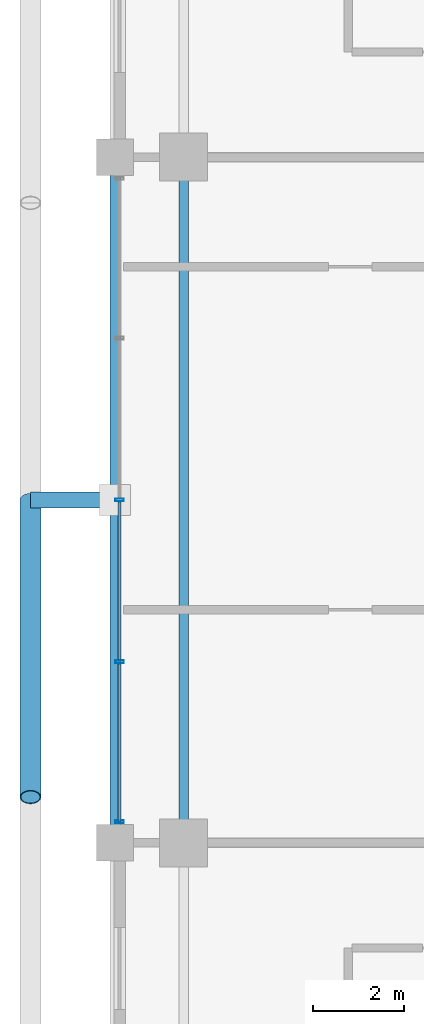
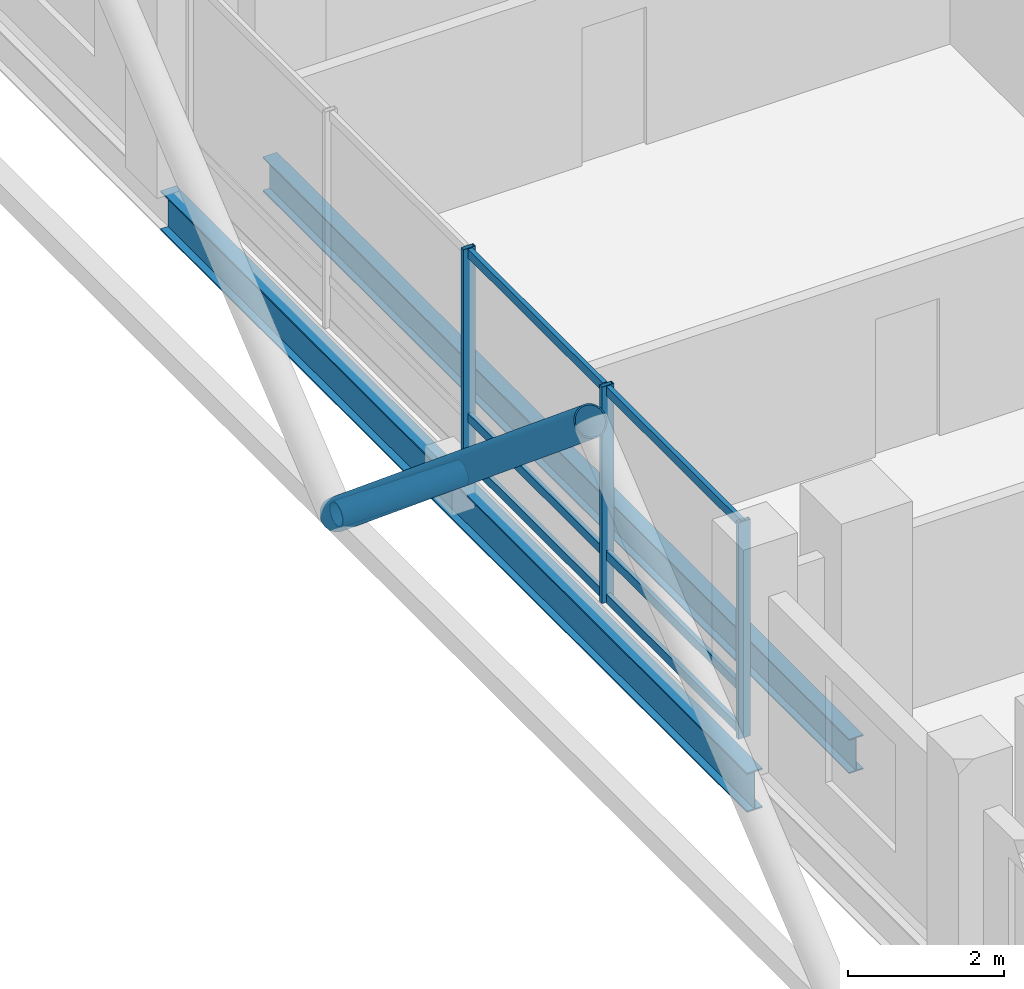
# One storey, part 7 of 26: 11 members, 2 beams, 1 element without a shape of its own.
"""IFC4 building model written with IfcOpenShell, lengths in metres."""

from ifc_helpers import new_model, si_unit, direction, frame, origin, origin_2d, place, context, subcontext, project, spatial, hollow_rectangle, hollow_circle, i_section, extrude, material, layer, layer_set, material_profile, profile_set, type_object, element, aggregate, save


model = new_model("IFC4")

# Units and contexts
model_context = context("Model", 3, precision=1e-05, world=origin(), true_north=direction((0.0, 1.0)))
body_context = subcontext(model_context, "Body", "Model", "MODEL_VIEW")
ifc_project = project(units=[si_unit("LENGTHUNIT", "METRE"), si_unit("AREAUNIT", "SQUARE_METRE"), si_unit("VOLUMEUNIT", "CUBIC_METRE"), si_unit("PLANEANGLEUNIT", "RADIAN"), si_unit("MASSUNIT", "GRAM", prefix="KILO")], contexts=[model_context])

# Site, building, storey
site_placement = place(None, origin())
site = spatial("IfcSite", under=ifc_project, at=site_placement, CompositionType="ELEMENT")
building_placement = place(site_placement, origin())
building = spatial("IfcBuilding", under=site, at=building_placement, Name="Barlavira Tower and Art Museum", CompositionType="ELEMENT")
storey_placement = place(building_placement, frame((0.0, 0.0, 198.0)))
storey = spatial("IfcBuildingStorey", under=building, at=storey_placement, Name="L51", CompositionType="ELEMENT", Elevation=198.0)

# Curtain wall, members
ifc_material_1 = material(Name="Low-iron coastal laminated glass", Category="glass")
ifc_layer = layer(ifc_material_1, 0.199951171875, Name="Low-iron coastal laminated glass")
ifc_layer_set = layer_set([ifc_layer], Name="Low-iron coastal laminated glass")
curtain_wall_type = type_object("IfcCurtainWallType", Name="Pale-Metal Unitised Curtain Wall Zone 3", PredefinedType="NOTDEFINED", material=ifc_layer_set)
curtain_wall_placement = place(storey_placement, origin())
curtain_wall = element("IfcCurtainWall", 1, at=curtain_wall_placement, inside=storey, type_object=curtain_wall_type, Name="L51 Curtain Wall CW3-L51-W-B3", PredefinedType="NOTDEFINED")
ifc_material_2 = material(Name="Pale anodised aluminium", Category="aluminium")
ifc_material_profile_1 = material_profile(ifc_material_2, hollow_rectangle(XDim=0.06494140625, YDim=0.179931640625, WallThickness=0.00390625, at=origin_2d()), Name="ALU-MULL 65x180x4")
ifc_profile_set_1 = profile_set([ifc_material_profile_1], Name="Pale anodised aluminium")
member_type_1 = type_object("IfcMemberType", Name="Curtain Wall Pale-Metal Mullion 65x180", PredefinedType="MULLION", material=ifc_profile_set_1)
member_1_placement = place(storey_placement, frame((-18.39990234375, 0.0, 0.0), z_axis=(0.0, 0.0, 1.0), x_axis=(0.0, -1.0, 0.0)))
member_1 = element("IfcMember", 2, at=member_1_placement, type_object=member_type_1, Name="CW3-L51-W-B3 Mullion 2", PredefinedType="MULLION", context=body_context, shape_type="SweptSolid", body=[
    extrude(hollow_rectangle(XDim=0.06494140625, YDim=0.179931640625, WallThickness=0.00390625, at=origin_2d()), origin(), (0.0, 0.0, 1.0), 3.3798828125),
])
member_2_placement = place(storey_placement, frame((-18.39990234375, -3.5400390625, 0.0), z_axis=(0.0, 0.0, 1.0), x_axis=(0.0, -1.0, 0.0)))
member_2 = element("IfcMember", 3, at=member_2_placement, type_object=member_type_1, Name="CW3-L51-W-B3 Mullion 3", PredefinedType="MULLION", context=body_context, shape_type="SweptSolid", body=[
    extrude(hollow_rectangle(XDim=0.06494140625, YDim=0.179931640625, WallThickness=0.00390625, at=origin_2d()), origin(), (0.0, 0.0, 1.0), 3.3798828125),
])
member_3_placement = place(storey_placement, frame((-18.39990234375, -7.034912109375, 0.0), z_axis=(0.0, 0.0, 1.0), x_axis=(0.0, -1.0, 0.0)))
member_3 = element("IfcMember", 4, at=member_3_placement, type_object=member_type_1, Name="CW3-L51-W-B3 Mullion 4", PredefinedType="MULLION", context=body_context, shape_type="SweptSolid", body=[
    extrude(hollow_rectangle(XDim=0.06494140625, YDim=0.179931640625, WallThickness=0.00390625, at=origin_2d()), origin(), (0.0, 0.0, 1.0), 3.3798828125),
])
ifc_material_profile_2 = material_profile(ifc_material_2, hollow_rectangle(XDim=0.06494140625, YDim=0.139892578125, WallThickness=0.00390625, at=origin_2d()), Name="ALU-TRAN 65x140x4")
ifc_profile_set_2 = profile_set([ifc_material_profile_2], Name="Pale anodised aluminium")
member_type_2 = type_object("IfcMemberType", Name="Curtain Wall Pale-Metal Transom 65x140", PredefinedType="USERDEFINED", material=ifc_profile_set_2)
member_4_placement = place(storey_placement, frame((-18.39990234375, -0.044921875, 0.070068359375), z_axis=(0.0, -1.0, 0.0), x_axis=(1.0, 0.0, 0.0)))
member_4 = element("IfcMember", 5, at=member_4_placement, type_object=member_type_2, Name="CW3-L51-W-B3 Transom 2.1", ObjectType="TRANSOM", PredefinedType="USERDEFINED", context=body_context, shape_type="SweptSolid", body=[
    extrude(hollow_rectangle(XDim=0.06494140625, YDim=0.139892578125, WallThickness=0.00390625, at=origin_2d()), origin(), (0.0, 0.0, 1.0), 3.4501953125),
])
member_5_placement = place(storey_placement, frame((-18.39990234375, -0.044921875, 0.743896484375), z_axis=(0.0, -1.0, 0.0), x_axis=(1.0, 0.0, 0.0)))
member_5 = element("IfcMember", 6, at=member_5_placement, type_object=member_type_2, Name="CW3-L51-W-B3 Transom 2.2", ObjectType="TRANSOM", PredefinedType="USERDEFINED", context=body_context, shape_type="SweptSolid", body=[
    extrude(hollow_rectangle(XDim=0.06494140625, YDim=0.139892578125, WallThickness=0.00390625, at=origin_2d()), origin(), (0.0, 0.0, 1.0), 3.4501953125),
])
member_6_placement = place(storey_placement, frame((-18.39990234375, -0.044921875, 3.31005859375), z_axis=(0.0, -1.0, 0.0), x_axis=(1.0, 0.0, 0.0)))
member_6 = element("IfcMember", 7, at=member_6_placement, type_object=member_type_2, Name="CW3-L51-W-B3 Transom 2.3", ObjectType="TRANSOM", PredefinedType="USERDEFINED", context=body_context, shape_type="SweptSolid", body=[
    extrude(hollow_rectangle(XDim=0.06494140625, YDim=0.139892578125, WallThickness=0.00390625, at=origin_2d()), origin(), (0.0, 0.0, 1.0), 3.4501953125),
])
member_7_placement = place(storey_placement, frame((-18.39990234375, -3.5849609375, 0.070068359375), z_axis=(0.0, -1.0, 0.0), x_axis=(1.0, 0.0, 0.0)))
member_7 = element("IfcMember", 8, at=member_7_placement, type_object=member_type_2, Name="CW3-L51-W-B3 Transom 3.1", ObjectType="TRANSOM", PredefinedType="USERDEFINED", context=body_context, shape_type="SweptSolid", body=[
    extrude(hollow_rectangle(XDim=0.06494140625, YDim=0.139892578125, WallThickness=0.00390625, at=origin_2d()), origin(), (0.0, 0.0, 1.0), 3.449951171875),
])
member_8_placement = place(storey_placement, frame((-18.39990234375, -3.5849609375, 0.743896484375), z_axis=(0.0, -1.0, 0.0), x_axis=(1.0, 0.0, 0.0)))
member_8 = element("IfcMember", 9, at=member_8_placement, type_object=member_type_2, Name="CW3-L51-W-B3 Transom 3.2", ObjectType="TRANSOM", PredefinedType="USERDEFINED", context=body_context, shape_type="SweptSolid", body=[
    extrude(hollow_rectangle(XDim=0.06494140625, YDim=0.139892578125, WallThickness=0.00390625, at=origin_2d()), origin(), (0.0, 0.0, 1.0), 3.449951171875),
])
member_9_placement = place(storey_placement, frame((-18.39990234375, -3.5849609375, 3.31005859375), z_axis=(0.0, -1.0, 0.0), x_axis=(1.0, 0.0, 0.0)))
member_9 = element("IfcMember", 10, at=member_9_placement, type_object=member_type_2, Name="CW3-L51-W-B3 Transom 3.3", ObjectType="TRANSOM", PredefinedType="USERDEFINED", context=body_context, shape_type="SweptSolid", body=[
    extrude(hollow_rectangle(XDim=0.06494140625, YDim=0.139892578125, WallThickness=0.00390625, at=origin_2d()), origin(), (0.0, 0.0, 1.0), 3.449951171875),
])
aggregate(curtain_wall, [member_1, member_2, member_3, member_4, member_5, member_6, member_7, member_8, member_9])

# Members
ifc_material_3 = material(Name="Steel S355", Category="steel")
ifc_material_profile_3 = material_profile(ifc_material_3, hollow_circle(Radius=0.228515625, WallThickness=0.02001953125, at=origin_2d()), Name="CHS 457.0x20.0")
ifc_profile_set_3 = profile_set([ifc_material_profile_3], Name="Steel S355")
member_type_3 = type_object("IfcMemberType", Name="Pale-Metal Exoskeleton Diagrid Tube CHS 457x20 Steel S355", PredefinedType="BRACE", material=ifc_profile_set_3)
member_10_placement = place(storey_placement, frame((-20.35009765625, 0.0, -0.1201171875), z_axis=(0.0, -0.76918185268, 0.639029950399), x_axis=(1.0, 0.0, 0.0)))
element("IfcMember", 11, at=member_10_placement, inside=storey, type_object=member_type_3, Name="L51 Exoskeleton Diagrid Tube W", PredefinedType="BRACE", context=body_context, shape_type="SweptSolid", body=[
    extrude(hollow_circle(Radius=0.228515625, WallThickness=0.02001953125, at=origin_2d()), origin(), (0.0, 0.0, 1.0), 8.450439453125),
])
ifc_material_profile_4 = material_profile(ifc_material_3, hollow_circle(Radius=0.177734375, WallThickness=0.01611328125, at=origin_2d()), Name="CHS 355.6x16.0")
ifc_profile_set_4 = profile_set([ifc_material_profile_4], Name="Steel S355")
member_type_4 = type_object("IfcMemberType", Name="Pale-Metal Exoskeleton Tie Strut CHS 356x16 Steel S355", PredefinedType="STRUT", material=ifc_profile_set_4)
member_11_placement = place(storey_placement, frame((-20.35009765625, 0.0, -0.1201171875), z_axis=(1.0, 0.0, 0.0), x_axis=(0.0, 1.0, 0.0)))
element("IfcMember", 12, at=member_11_placement, inside=storey, type_object=member_type_4, Name="L51 Exoskeleton Tie Strut W2", PredefinedType="STRUT", context=body_context, shape_type="SweptSolid", body=[
    extrude(hollow_circle(Radius=0.177734375, WallThickness=0.01611328125, at=origin_2d()), origin(), (0.0, 0.0, 1.0), 1.85009765625),
])

# Beams
ifc_material_profile_5 = material_profile(ifc_material_3, i_section(OverallWidth=0.22998046875, OverallDepth=0.616943359375, WebThickness=0.01318359375, FlangeThickness=0.022216796875, at=origin_2d()), Name="W610x140.0")
ifc_profile_set_5 = profile_set([ifc_material_profile_5], Name="Steel S355")
beam_type_1 = type_object("IfcBeamType", Name="Upper Shaft Spandrel Edge Beam W610x140 Steel S355", PredefinedType="SPANDREL", material=ifc_profile_set_5)
beam_1_placement = place(storey_placement, frame((-18.5, -7.5, -0.528564453125), z_axis=(0.0, 1.0, 0.0), x_axis=(-1.0, 0.0, 0.0)))
element("IfcBeam", 13, at=beam_1_placement, inside=storey, type_object=beam_type_1, Name="L51 Spandrel 14", PredefinedType="SPANDREL", context=body_context, shape_type="SweptSolid", body=[
    extrude(i_section(OverallWidth=0.22998046875, OverallDepth=0.616943359375, WebThickness=0.01318359375, FlangeThickness=0.022216796875, at=origin_2d()), origin(), (0.0, 0.0, 1.0), 15.0),
])
ifc_material_profile_6 = material_profile(ifc_material_3, i_section(OverallWidth=0.2109375, OverallDepth=0.5390625, WebThickness=0.01171875, FlangeThickness=0.018798828125, at=origin_2d()), Name="W530x109.0")
ifc_profile_set_6 = profile_set([ifc_material_profile_6], Name="Steel S355")
beam_type_2 = type_object("IfcBeamType", Name="Zone 3-4 Primary Floor Girder W530x109 Steel S355", PredefinedType="BEAM", material=ifc_profile_set_6)
beam_2_placement = place(storey_placement, frame((-17.0, -7.5, -0.489501953125), z_axis=(0.0, 1.0, 0.0), x_axis=(-1.0, 0.0, 0.0)))
element("IfcBeam", 14, at=beam_2_placement, inside=storey, type_object=beam_type_2, Name="L51 Girder M-W2", PredefinedType="BEAM", context=body_context, shape_type="SweptSolid", body=[
    extrude(i_section(OverallWidth=0.2109375, OverallDepth=0.5390625, WebThickness=0.01171875, FlangeThickness=0.018798828125, at=origin_2d()), origin(), (0.0, 0.0, 1.0), 15.0),
])

save(model, "model.ifc")
